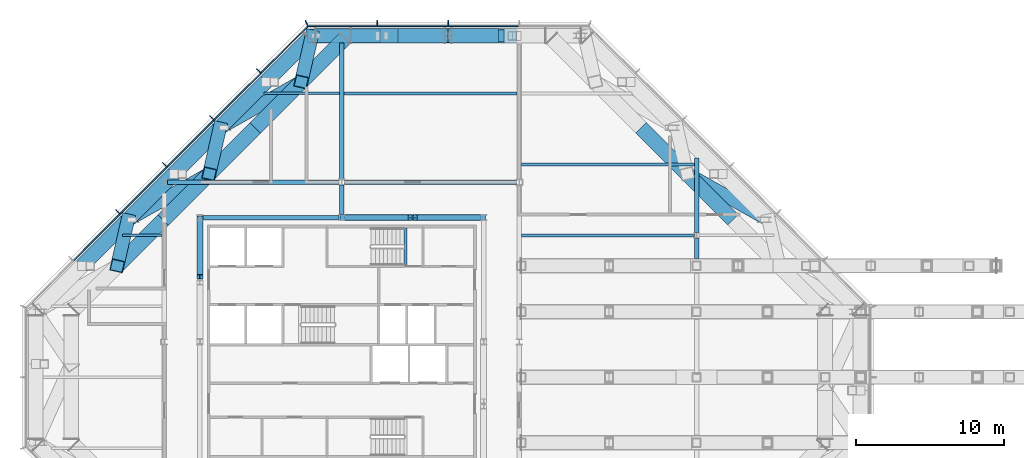
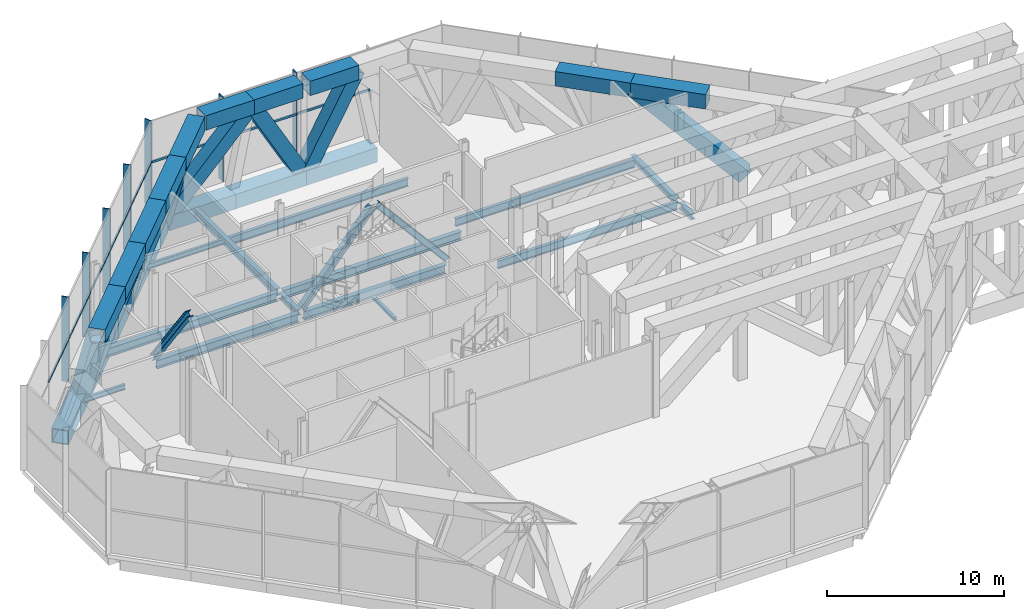
# One storey, part 8 of 18: 41 beams, 18 members, 2 elements without a shape of their own.
"""IFC4 building model written with IfcOpenShell, lengths in metres."""

from ifc_helpers import new_model, si_unit, direction, frame, origin, origin_2d, place, context, subcontext, project, spatial, rectangle, hollow_rectangle, i_section, extrude, material, material_profile, profile_set, type_object, element, aggregate, save


model = new_model("IFC4")

# Units and contexts
model_context = context("Model", 3, precision=1e-05, world=origin(), true_north=direction((0.0, 1.0)))
body_context = subcontext(model_context, "Body", "Model", "MODEL_VIEW")
ifc_project = project(units=[si_unit("LENGTHUNIT", "METRE"), si_unit("AREAUNIT", "SQUARE_METRE"), si_unit("VOLUMEUNIT", "CUBIC_METRE"), si_unit("PLANEANGLEUNIT", "RADIAN"), si_unit("MASSUNIT", "GRAM", prefix="KILO")], contexts=[model_context])

# Site, building, storey
site_placement = place(None, origin())
site = spatial("IfcSite", under=ifc_project, at=site_placement, CompositionType="ELEMENT")
building_placement = place(site_placement, origin())
building = spatial("IfcBuilding", under=site, at=building_placement, Name="Cairn Pilgrim Tower", CompositionType="ELEMENT")
storey_placement = place(building_placement, frame((0.0, 0.0, 261.0)))
storey = spatial("IfcBuildingStorey", under=building, at=storey_placement, Name="L67", CompositionType="ELEMENT", Elevation=261.0)

# Beams
ifc_material_1 = material(Name="Structural steel S460M", Category="steel")
ifc_material_profile_1 = material_profile(ifc_material_1, hollow_rectangle(XDim=1.0, YDim=1.0, WallThickness=0.06005859375, at=origin_2d()), Name="BOX 1000x1000x60")
ifc_profile_set_1 = profile_set([ifc_material_profile_1], Name="Structural steel S460M")
beam_type_1 = type_object("IfcBeamType", Name="BOX 1000x1000x60 CHORD", PredefinedType="USERDEFINED", material=ifc_profile_set_1)
beam_1_placement = place(storey_placement, frame((33.67578125, 10.651611328125, 5.35009765625), z_axis=(-0.707106781187, 0.707106781187, 0.0), x_axis=(-0.707106781187, -0.707106781187, 0.0)))
element("IfcBeam", 1, at=beam_1_placement, inside=storey, type_object=beam_type_1, Name="BT67-NE-TC3", ObjectType="CHORD", PredefinedType="USERDEFINED", context=body_context, shape_type="SweptSolid", body=[
    extrude(hollow_rectangle(XDim=1.0, YDim=1.0, WallThickness=0.06005859375, at=origin_2d()), origin(), (0.0, 0.0, 1.0), 4.401123046875),
])
beam_2_placement = place(storey_placement, frame((30.563720703125, 13.763671875, 5.35009765625), z_axis=(-0.707134515759, 0.707079045527, 0.0), x_axis=(-0.707079045527, -0.707134515759, 0.0)))
element("IfcBeam", 2, at=beam_2_placement, inside=storey, type_object=beam_type_1, Name="BT67-NE-TC4", ObjectType="CHORD", PredefinedType="USERDEFINED", context=body_context, shape_type="SweptSolid", body=[
    extrude(hollow_rectangle(XDim=1.0, YDim=1.0, WallThickness=0.06005859375, at=origin_2d()), origin(), (0.0, 0.0, 1.0), 4.4013671875),
])
beam_3_placement = place(storey_placement, frame((19.013671875, 23.10009765625, -0.75), z_axis=(-1.0, 0.0, 0.0), x_axis=(0.0, -1.0, 0.0)))
element("IfcBeam", 3, at=beam_3_placement, inside=storey, type_object=beam_type_1, Name="BT67-N-BC2", ObjectType="CHORD", PredefinedType="USERDEFINED", context=body_context, shape_type="SweptSolid", body=[
    extrude(hollow_rectangle(XDim=1.0, YDim=1.0, WallThickness=0.06005859375, at=origin_2d()), origin(), (0.0, 0.0, 1.0), 4.61376953125),
])
beam_4_placement = place(storey_placement, frame((17.813720703125, 23.10009765625, 5.35009765625), z_axis=(-1.0, 0.0, 0.0), x_axis=(0.0, -1.0, 0.0)))
element("IfcBeam", 4, at=beam_4_placement, inside=storey, type_object=beam_type_1, Name="BT67-N-TC2", ObjectType="CHORD", PredefinedType="USERDEFINED", context=body_context, shape_type="SweptSolid", body=[
    extrude(hollow_rectangle(XDim=1.0, YDim=1.0, WallThickness=0.06005859375, at=origin_2d()), origin(), (0.0, 0.0, 1.0), 3.17431640625),
])
beam_5_placement = place(storey_placement, frame((14.39990234375, 23.10009765625, -0.75), z_axis=(-1.0, 0.0, 0.0), x_axis=(0.0, -1.0, 0.0)))
element("IfcBeam", 5, at=beam_5_placement, inside=storey, type_object=beam_type_1, Name="BT67-N-BC3", ObjectType="CHORD", PredefinedType="USERDEFINED", context=body_context, shape_type="SweptSolid", body=[
    extrude(hollow_rectangle(XDim=1.0, YDim=1.0, WallThickness=0.06005859375, at=origin_2d()), origin(), (0.0, 0.0, 1.0), 4.613525390625),
])
beam_6_placement = place(storey_placement, frame((14.160400390625, 23.10009765625, 5.35009765625), z_axis=(-1.0, 0.0, 0.0), x_axis=(0.0, -1.0, 0.0)))
element("IfcBeam", 6, at=beam_6_placement, inside=storey, type_object=beam_type_1, Name="BT67-N-TC3", ObjectType="CHORD", PredefinedType="USERDEFINED", context=body_context, shape_type="SweptSolid", body=[
    extrude(hollow_rectangle(XDim=1.0, YDim=1.0, WallThickness=0.06005859375, at=origin_2d()), origin(), (0.0, 0.0, 1.0), 3.174072265625),
])
beam_7_placement = place(storey_placement, frame((9.786376953125, 23.10009765625, -0.75), z_axis=(-1.0, 0.0, 0.0), x_axis=(0.0, -1.0, 0.0)))
element("IfcBeam", 7, at=beam_7_placement, inside=storey, type_object=beam_type_1, Name="BT67-N-BC4", ObjectType="CHORD", PredefinedType="USERDEFINED", context=body_context, shape_type="SweptSolid", body=[
    extrude(hollow_rectangle(XDim=1.0, YDim=1.0, WallThickness=0.06005859375, at=origin_2d()), origin(), (0.0, 0.0, 1.0), 4.3564453125),
])
beam_8_placement = place(storey_placement, frame((10.986328125, 23.10009765625, 5.35009765625), z_axis=(-1.0, 0.0, 0.0), x_axis=(0.0, -1.0, 0.0)))
element("IfcBeam", 8, at=beam_8_placement, inside=storey, type_object=beam_type_1, Name="BT67-N-TC4", ObjectType="CHORD", PredefinedType="USERDEFINED", context=body_context, shape_type="SweptSolid", body=[
    extrude(hollow_rectangle(XDim=1.0, YDim=1.0, WallThickness=0.06005859375, at=origin_2d()), origin(), (0.0, 0.0, 1.0), 3.156494140625),
])
beam_9_placement = place(storey_placement, frame((4.990966796875, 22.918212890625, -0.75), z_axis=(-0.707077323927, -0.707136237219, 0.0), x_axis=(0.707136237219, -0.707077323927, 0.0)))
element("IfcBeam", 9, at=beam_9_placement, inside=storey, type_object=beam_type_1, Name="BT67-NW-BC1", ObjectType="CHORD", PredefinedType="USERDEFINED", context=body_context, shape_type="SweptSolid", body=[
    extrude(hollow_rectangle(XDim=1.0, YDim=1.0, WallThickness=0.06005859375, at=origin_2d()), origin(), (0.0, 0.0, 1.0), 4.14404296875),
])
beam_10_placement = place(storey_placement, frame((7.39111328125, 22.918212890625, 5.35009765625), z_axis=(-0.707106781187, -0.707106781187, 0.0), x_axis=(0.707106781187, -0.707106781187, 0.0)))
element("IfcBeam", 10, at=beam_10_placement, inside=storey, type_object=beam_type_1, Name="BT67-NW-TC1", ObjectType="CHORD", PredefinedType="USERDEFINED", context=body_context, shape_type="SweptSolid", body=[
    extrude(hollow_rectangle(XDim=1.0, YDim=1.0, WallThickness=0.06005859375, at=origin_2d()), origin(), (0.0, 0.0, 1.0), 4.144287109375),
])
for number, where, z_axis, x_axis, name in (
    (11, (2.060791015625, 19.98779296875, -0.75), (-0.707134515759, -0.707079045527, 0.0), (0.707079045527, -0.707134515759, 0.0), "BT67-NW-BC2"),
    (12, (4.460693359375, 19.98779296875, 5.35009765625), (-0.707134515759, -0.707079045527, 0.0), (0.707079045527, -0.707134515759, 0.0), "BT67-NW-TC2"),
):
    element("IfcBeam", number, at=place(storey_placement, frame(where, z_axis=z_axis, x_axis=x_axis)), inside=storey, type_object=beam_type_1, Name=name, ObjectType="CHORD", PredefinedType="USERDEFINED", context=body_context, shape_type="SweptSolid", body=[
        extrude(hollow_rectangle(XDim=1.0, YDim=1.0, WallThickness=0.06005859375, at=origin_2d()), origin(), (0.0, 0.0, 1.0), 4.4013671875),
    ])
for number, where, z_axis, x_axis, name in (
    (13, (-1.051513671875, 16.875732421875, -0.75), (-0.707106781187, -0.707106781187, 0.0), (0.707106781187, -0.707106781187, 0.0), "BT67-NW-BC3"),
    (14, (1.348388671875, 16.875732421875, 5.35009765625), (-0.707106781187, -0.707106781187, 0.0), (0.707106781187, -0.707106781187, 0.0), "BT67-NW-TC3"),
    (15, (-4.16357421875, 13.763671875, -0.75), (-0.707106781187, -0.707106781187, 0.0), (0.707106781187, -0.707106781187, 0.0), "BT67-NW-BC4"),
    (16, (-1.763671875, 13.763671875, 5.35009765625), (-0.707106781187, -0.707106781187, 0.0), (0.707106781187, -0.707106781187, 0.0), "BT67-NW-TC4"),
):
    element("IfcBeam", number, at=place(storey_placement, frame(where, z_axis=z_axis, x_axis=x_axis)), inside=storey, type_object=beam_type_1, Name=name, ObjectType="CHORD", PredefinedType="USERDEFINED", context=body_context, shape_type="SweptSolid", body=[
        extrude(hollow_rectangle(XDim=1.0, YDim=1.0, WallThickness=0.06005859375, at=origin_2d()), origin(), (0.0, 0.0, 1.0), 4.401123046875),
    ])
for number, where, z_axis, x_axis, name in (
    (17, (-7.275634765625, 10.651611328125, -0.75), (-0.707106781187, -0.707106781187, 0.0), (0.707106781187, -0.707106781187, 0.0), "BT67-NW-BC5"),
    (18, (-4.875732421875, 10.651611328125, 5.35009765625), (-0.707079045527, -0.707134515759, 0.0), (0.707134515759, -0.707079045527, 0.0), "BT67-NW-TC5"),
):
    element("IfcBeam", number, at=place(storey_placement, frame(where, z_axis=z_axis, x_axis=x_axis)), inside=storey, type_object=beam_type_1, Name=name, ObjectType="CHORD", PredefinedType="USERDEFINED", context=body_context, shape_type="SweptSolid", body=[
        extrude(hollow_rectangle(XDim=1.0, YDim=1.0, WallThickness=0.06005859375, at=origin_2d()), origin(), (0.0, 0.0, 1.0), 4.4013671875),
    ])
ifc_material_profile_2 = material_profile(ifc_material_1, hollow_rectangle(XDim=0.89990234375, YDim=0.89990234375, WallThickness=0.050048828125, at=origin_2d()), Name="BOX 900x900x50")
ifc_profile_set_2 = profile_set([ifc_material_profile_2], Name="Structural steel S460M")
beam_type_2 = type_object("IfcBeamType", Name="BOX 900x900x50 DIAGONAL", PredefinedType="USERDEFINED", material=ifc_profile_set_2)
beam_11_placement = place(storey_placement, frame((36.07568359375, 10.651611328125, -0.75), z_axis=(-0.627016222938, 0.354014075997, 0.693919800963), x_axis=(-0.491650506042, -0.870792615902, 0.0)))
element("IfcBeam", 19, at=beam_11_placement, inside=storey, type_object=beam_type_2, Name="BT67-NE-D3", ObjectType="DIAGONAL", PredefinedType="USERDEFINED", context=body_context, shape_type="SweptSolid", body=[
    extrude(hollow_rectangle(XDim=0.89990234375, YDim=0.89990234375, WallThickness=0.050048828125, at=origin_2d()), origin(), (0.0, 0.0, 1.0), 8.790771484375),
])
beam_12_placement = place(storey_placement, frame((17.813720703125, 23.10009765625, 5.35009765625), z_axis=(-0.488359809006, 0.0, -0.872642364859), x_axis=(0.0, -1.0, 0.0)))
element("IfcBeam", 20, at=beam_12_placement, inside=storey, type_object=beam_type_2, Name="BT67-N-D2", ObjectType="DIAGONAL", PredefinedType="USERDEFINED", context=body_context, shape_type="SweptSolid", body=[
    extrude(hollow_rectangle(XDim=0.89990234375, YDim=0.89990234375, WallThickness=0.050048828125, at=origin_2d()), origin(), (0.0, 0.0, 1.0), 6.990478515625),
])
beam_13_placement = place(storey_placement, frame((14.39990234375, 23.10009765625, -0.75), z_axis=(-0.488333212582, 0.0, 0.872657248574), x_axis=(0.0, -1.0, 0.0)))
element("IfcBeam", 21, at=beam_13_placement, inside=storey, type_object=beam_type_2, Name="BT67-N-D3", ObjectType="DIAGONAL", PredefinedType="USERDEFINED", context=body_context, shape_type="SweptSolid", body=[
    extrude(hollow_rectangle(XDim=0.89990234375, YDim=0.89990234375, WallThickness=0.050048828125, at=origin_2d()), origin(), (0.0, 0.0, 1.0), 6.990234375),
])
beam_14_placement = place(storey_placement, frame((10.986328125, 23.10009765625, 5.35009765625), z_axis=(-0.689895321041, 0.0, -0.723909142093), x_axis=(0.0, -1.0, 0.0)))
element("IfcBeam", 22, at=beam_14_placement, inside=storey, type_object=beam_type_2, Name="BT67-N-D4", ObjectType="DIAGONAL", PredefinedType="USERDEFINED", context=body_context, shape_type="SweptSolid", body=[
    extrude(hollow_rectangle(XDim=0.89990234375, YDim=0.89990234375, WallThickness=0.050048828125, at=origin_2d()), origin(), (0.0, 0.0, 1.0), 8.426513671875),
])
beam_15_placement = place(storey_placement, frame((5.1728515625, 23.10009765625, -0.75), z_axis=(-0.10343447546, -0.452033833791, 0.885983477495), x_axis=(0.974805800501, -0.223055265145, 0.0)))
element("IfcBeam", 23, at=beam_15_placement, inside=storey, type_object=beam_type_2, Name="BT67-NW-D1", ObjectType="DIAGONAL", PredefinedType="USERDEFINED", context=body_context, shape_type="SweptSolid", body=[
    extrude(hollow_rectangle(XDim=0.89990234375, YDim=0.89990234375, WallThickness=0.050048828125, at=origin_2d()), origin(), (0.0, 0.0, 1.0), 6.885009765625),
])
beam_16_placement = place(storey_placement, frame((4.460693359375, 19.98779296875, 5.35009765625), z_axis=(-0.627033076163, -0.354007911323, -0.693907717292), x_axis=(0.491633993745, -0.870801938557, 0.0)))
element("IfcBeam", 24, at=beam_16_placement, inside=storey, type_object=beam_type_2, Name="BT67-NW-D2", ObjectType="DIAGONAL", PredefinedType="USERDEFINED", context=body_context, shape_type="SweptSolid", body=[
    extrude(hollow_rectangle(XDim=0.89990234375, YDim=0.89990234375, WallThickness=0.050048828125, at=origin_2d()), origin(), (0.0, 0.0, 1.0), 8.791015625),
])
beam_17_placement = place(storey_placement, frame((-1.051513671875, 16.875732421875, -0.75), z_axis=(-0.103436133361, -0.452005619457, 0.885997678493), x_axis=(0.974801995546, -0.223071893073, 0.0)))
element("IfcBeam", 25, at=beam_17_placement, inside=storey, type_object=beam_type_2, Name="BT67-NW-D3", ObjectType="DIAGONAL", PredefinedType="USERDEFINED", context=body_context, shape_type="SweptSolid", body=[
    extrude(hollow_rectangle(XDim=0.89990234375, YDim=0.89990234375, WallThickness=0.050048828125, at=origin_2d()), origin(), (0.0, 0.0, 1.0), 6.885009765625),
])
beam_18_placement = place(storey_placement, frame((-1.763671875, 13.763671875, 5.35009765625), z_axis=(-0.627016222938, -0.354014075997, -0.693919800963), x_axis=(0.491650506042, -0.870792615902, 0.0)))
element("IfcBeam", 26, at=beam_18_placement, inside=storey, type_object=beam_type_2, Name="BT67-NW-D4", ObjectType="DIAGONAL", PredefinedType="USERDEFINED", context=body_context, shape_type="SweptSolid", body=[
    extrude(hollow_rectangle(XDim=0.89990234375, YDim=0.89990234375, WallThickness=0.050048828125, at=origin_2d()), origin(), (0.0, 0.0, 1.0), 8.790771484375),
])
beam_19_placement = place(storey_placement, frame((-7.275634765625, 10.651611328125, -0.75), z_axis=(-0.10343447546, -0.452033833791, 0.885983477495), x_axis=(0.974805800501, -0.223055265145, 0.0)))
element("IfcBeam", 27, at=beam_19_placement, inside=storey, type_object=beam_type_2, Name="BT67-NW-D5", ObjectType="DIAGONAL", PredefinedType="USERDEFINED", context=body_context, shape_type="SweptSolid", body=[
    extrude(hollow_rectangle(XDim=0.89990234375, YDim=0.89990234375, WallThickness=0.050048828125, at=origin_2d()), origin(), (0.0, 0.0, 1.0), 6.885009765625),
])

# Curtain wall, members
ifc_material_2 = material(Name="Aluminium alloy 6063-T6 bronze anodised with Bronze tinted laminated low-E glass 8+16+8.8", Category="aluminium")
curtain_wall_type = type_object("IfcCurtainWallType", Name="PLANT LOUVRE CURTAIN WALL", PredefinedType="NOTDEFINED", material=ifc_material_2)
curtain_wall_1_placement = place(storey_placement, origin())
curtain_wall_1 = element("IfcCurtainWall", 28, at=curtain_wall_1_placement, inside=storey, type_object=curtain_wall_type, Name="Plant Louvre Curtain Wall N", PredefinedType="NOTDEFINED")
ifc_material_3 = material(Name="Aluminium alloy 6063-T6 bronze anodised", Category="aluminium")
ifc_material_profile_3 = material_profile(ifc_material_3, rectangle(XDim=0.449951171875, YDim=0.06005859375, at=origin_2d()), Name="FIN MULLION 60x450 BRONZE")
ifc_profile_set_3 = profile_set([ifc_material_profile_3], Name="Aluminium alloy 6063-T6 bronze anodised")
member_type_1 = type_object("IfcMemberType", Name="FIN MULLION 60x450 BRONZE", PredefinedType="MULLION", material=ifc_profile_set_3)
member_1_placement = place(storey_placement, frame((14.39990234375, 23.945068359375, 0.0), z_axis=(0.0, 0.0, 1.0), x_axis=(0.0, 1.0, 0.0)))
member_1 = element("IfcMember", 29, at=member_1_placement, type_object=member_type_1, Name="Fin mullion N3", PredefinedType="MULLION", context=body_context, shape_type="SweptSolid", body=[
    extrude(rectangle(XDim=0.449951171875, YDim=0.06005859375, at=origin_2d()), origin(), (0.0, 0.0, 1.0), 5.85009765625),
])
member_2_placement = place(storey_placement, frame((9.60009765625, 23.945068359375, 0.0), z_axis=(0.0, 0.0, 1.0), x_axis=(0.0, 1.0, 0.0)))
member_2 = element("IfcMember", 30, at=member_2_placement, type_object=member_type_1, Name="Fin mullion N4", PredefinedType="MULLION", context=body_context, shape_type="SweptSolid", body=[
    extrude(rectangle(XDim=0.449951171875, YDim=0.06005859375, at=origin_2d()), origin(), (0.0, 0.0, 1.0), 5.85009765625),
])

curtain_wall_2_placement = place(storey_placement, origin())
curtain_wall_2 = element("IfcCurtainWall", 31, at=curtain_wall_2_placement, inside=storey, type_object=curtain_wall_type, Name="Plant Louvre Curtain Wall NW", PredefinedType="NOTDEFINED")
member_3_placement = place(storey_placement, frame((4.828857421875, 23.93017578125, 0.0), z_axis=(0.0, 0.0, 1.0), x_axis=(-0.382683432365, 0.923879532511, 0.0)))
member_3 = element("IfcMember", 32, at=member_3_placement, type_object=member_type_1, Name="Fin mullion NW1", PredefinedType="MULLION", context=body_context, shape_type="SweptSolid", body=[
    extrude(rectangle(XDim=0.449951171875, YDim=0.06005859375, at=origin_2d()), origin(), (0.0, 0.0, 1.0), 5.85009765625),
])
member_4_placement = place(storey_placement, frame((1.590087890625, 20.71240234375, 0.0), z_axis=(0.0, 0.0, 1.0), x_axis=(-0.707106781187, 0.707106781187, 0.0)))
member_4 = element("IfcMember", 33, at=member_4_placement, type_object=member_type_1, Name="Fin mullion NW2", PredefinedType="MULLION", context=body_context, shape_type="SweptSolid", body=[
    extrude(rectangle(XDim=0.449951171875, YDim=0.06005859375, at=origin_2d()), origin(), (0.0, 0.0, 1.0), 5.85009765625),
])
member_5_placement = place(storey_placement, frame((-1.58544921875, 17.53662109375, 0.0), z_axis=(0.0, 0.0, 1.0), x_axis=(-0.707106781187, 0.707106781187, 0.0)))
member_5 = element("IfcMember", 34, at=member_5_placement, type_object=member_type_1, Name="Fin mullion NW3", PredefinedType="MULLION", context=body_context, shape_type="SweptSolid", body=[
    extrude(rectangle(XDim=0.449951171875, YDim=0.06005859375, at=origin_2d()), origin(), (0.0, 0.0, 1.0), 5.85009765625),
])
member_6_placement = place(storey_placement, frame((-4.76123046875, 14.361083984375, 0.0), z_axis=(0.0, 0.0, 1.0), x_axis=(-0.707106781187, 0.707106781187, 0.0)))
member_6 = element("IfcMember", 35, at=member_6_placement, type_object=member_type_1, Name="Fin mullion NW4", PredefinedType="MULLION", context=body_context, shape_type="SweptSolid", body=[
    extrude(rectangle(XDim=0.449951171875, YDim=0.06005859375, at=origin_2d()), origin(), (0.0, 0.0, 1.0), 5.85009765625),
])
member_7_placement = place(storey_placement, frame((-7.936767578125, 11.185546875, 0.0), z_axis=(0.0, 0.0, 1.0), x_axis=(-0.707106781187, 0.707106781187, 0.0)))
member_7 = element("IfcMember", 36, at=member_7_placement, type_object=member_type_1, Name="Fin mullion NW5", PredefinedType="MULLION", context=body_context, shape_type="SweptSolid", body=[
    extrude(rectangle(XDim=0.449951171875, YDim=0.06005859375, at=origin_2d()), origin(), (0.0, 0.0, 1.0), 5.85009765625),
])

# Members
ifc_material_4 = material(Name="Structural steel S355J2", Category="steel")
ifc_material_profile_4 = material_profile(ifc_material_4, i_section(OverallWidth=0.39794921875, OverallDepth=0.386962890625, WebThickness=0.02099609375, FlangeThickness=0.033203125, FilletRadius=0.014892578125, at=origin_2d()), Name="HD 400x262")
ifc_profile_set_4 = profile_set([ifc_material_profile_4], Name="Structural steel S355J2")
member_type_2 = type_object("IfcMemberType", Name="HD 400x262 BRACE", PredefinedType="BRACE", material=ifc_profile_set_4)
for number, where, z_axis, x_axis, name in (
    (37, (16.76025390625, 10.800048828125, 0.0), (-0.647472453793, 0.0, 0.762088854124), (0.0, -1.0, 0.0), "KB-3A"),
    (38, (7.23974609375, 10.800048828125, 0.0), (0.647472453793, 0.0, 0.762088854124), (0.0, 1.0, 0.0), "KB-3B"),
):
    element("IfcMember", number, at=place(storey_placement, frame(where, z_axis=z_axis, x_axis=x_axis)), inside=storey, type_object=member_type_2, Name=name, PredefinedType="BRACE", context=body_context, shape_type="SweptSolid", body=[
        extrude(i_section(OverallWidth=0.39794921875, OverallDepth=0.386962890625, WebThickness=0.02099609375, FlangeThickness=0.033203125, FilletRadius=0.014892578125, at=origin_2d()), origin(), (0.0, 0.0, 1.0), 7.0888671875),
    ])
member_8_placement = place(storey_placement, frame((-2.39990234375, 10.76025390625, 0.0), z_axis=(0.0, -0.592395315178, 0.805647435641), x_axis=(1.0, 0.0, 0.0)))
element("IfcMember", 39, at=member_8_placement, inside=storey, type_object=member_type_2, Name="KB-4A", PredefinedType="BRACE", context=body_context, shape_type="SweptSolid", body=[
    extrude(i_section(OverallWidth=0.39794921875, OverallDepth=0.386962890625, WebThickness=0.02099609375, FlangeThickness=0.033203125, FilletRadius=0.014892578125, at=origin_2d()), origin(), (0.0, 0.0, 1.0), 6.70654296875),
])

# Beams
ifc_material_profile_5 = material_profile(ifc_material_4, i_section(OverallWidth=0.300048828125, OverallDepth=0.39990234375, WebThickness=0.013427734375, FlangeThickness=0.02392578125, FilletRadius=0.027099609375, at=origin_2d()), Name="HEB 400")
ifc_profile_set_5 = profile_set([ifc_material_profile_5], Name="Structural steel S355J2")
beam_type_3 = type_object("IfcBeamType", Name="HEB 400 GIRDER", PredefinedType="BEAM", material=ifc_profile_set_5)
beam_20_placement = place(storey_placement, frame((7.199951171875, 10.9990234375, -0.449951171875), z_axis=(0.0, 1.0, 0.0), x_axis=(-1.0, 0.0, 0.0)))
element("IfcBeam", 40, at=beam_20_placement, inside=storey, type_object=beam_type_3, Name="PG3-E2", PredefinedType="BEAM", context=body_context, shape_type="SweptSolid", body=[
    extrude(i_section(OverallWidth=0.300048828125, OverallDepth=0.39990234375, WebThickness=0.013427734375, FlangeThickness=0.02392578125, FilletRadius=0.027099609375, at=origin_2d()), origin(), (0.0, 0.0, 1.0), 2.00390625),
])
beam_21_placement = place(storey_placement, frame((31.199951171875, 8.044189453125, -0.449951171875), z_axis=(0.0, 1.0, 0.0), x_axis=(-1.0, 0.0, 0.0)))
element("IfcBeam", 41, at=beam_21_placement, inside=storey, type_object=beam_type_3, Name="PG5-E2", PredefinedType="BEAM", context=body_context, shape_type="SweptSolid", body=[
    extrude(i_section(OverallWidth=0.300048828125, OverallDepth=0.39990234375, WebThickness=0.013427734375, FlangeThickness=0.02392578125, FilletRadius=0.027099609375, at=origin_2d()), origin(), (0.0, 0.0, 1.0), 1.35888671875),
])
beam_22_placement = place(storey_placement, frame((31.199951171875, 9.797119140625, -0.449951171875), z_axis=(0.0, 1.0, 0.0), x_axis=(-1.0, 0.0, 0.0)))
element("IfcBeam", 42, at=beam_22_placement, inside=storey, type_object=beam_type_3, Name="PG5-6", PredefinedType="BEAM", context=body_context, shape_type="SweptSolid", body=[
    extrude(i_section(OverallWidth=0.300048828125, OverallDepth=0.39990234375, WebThickness=0.013427734375, FlangeThickness=0.02392578125, FilletRadius=0.027099609375, at=origin_2d()), origin(), (0.0, 0.0, 1.0), 5.052978515625),
])
ifc_material_profile_6 = material_profile(ifc_material_4, i_section(OverallWidth=0.300048828125, OverallDepth=0.5, WebThickness=0.014404296875, FlangeThickness=0.028076171875, FilletRadius=0.027099609375, at=origin_2d()), Name="HEB 500")
ifc_profile_set_6 = profile_set([ifc_material_profile_6], Name="Structural steel S355J2")
beam_type_4 = type_object("IfcBeamType", Name="HEB 500 GIRDER", PredefinedType="BEAM", material=ifc_profile_set_6)
beam_23_placement = place(storey_placement, frame((7.199951171875, 13.39697265625, -0.5), z_axis=(0.0, 1.0, 0.0), x_axis=(-1.0, 0.0, 0.0)))
element("IfcBeam", 43, at=beam_23_placement, inside=storey, type_object=beam_type_4, Name="PG3-2", PredefinedType="BEAM", context=body_context, shape_type="SweptSolid", body=[
    extrude(i_section(OverallWidth=0.300048828125, OverallDepth=0.5, WebThickness=0.014404296875, FlangeThickness=0.028076171875, FilletRadius=0.027099609375, at=origin_2d()), origin(), (0.0, 0.0, 1.0), 9.23291015625),
])
ifc_material_profile_7 = material_profile(ifc_material_4, i_section(OverallWidth=0.300048828125, OverallDepth=0.60009765625, WebThickness=0.015380859375, FlangeThickness=0.030029296875, FilletRadius=0.027099609375, at=origin_2d()), Name="HEB 600")
ifc_profile_set_7 = profile_set([ifc_material_profile_7], Name="Structural steel S355J2")
beam_type_5 = type_object("IfcBeamType", Name="HEB 600 CORE BEAM", PredefinedType="BEAM", material=ifc_profile_set_7)
beam_24_placement = place(storey_placement, frame((16.620849609375, 10.800048828125, -0.550048828125), z_axis=(-1.0, 0.0, 0.0), x_axis=(0.0, -1.0, 0.0)))
element("IfcBeam", 44, at=beam_24_placement, inside=storey, type_object=beam_type_5, Name="CB-5", PredefinedType="BEAM", context=body_context, shape_type="SweptSolid", body=[
    extrude(i_section(OverallWidth=0.300048828125, OverallDepth=0.60009765625, WebThickness=0.015380859375, FlangeThickness=0.030029296875, FilletRadius=0.027099609375, at=origin_2d()), origin(), (0.0, 0.0, 1.0), 9.24169921875),
])
beam_25_placement = place(storey_placement, frame((7.02099609375, 10.800048828125, -0.550048828125), z_axis=(-1.0, 0.0, 0.0), x_axis=(0.0, -1.0, 0.0)))
element("IfcBeam", 45, at=beam_25_placement, inside=storey, type_object=beam_type_5, Name="CB-6", PredefinedType="BEAM", context=body_context, shape_type="SweptSolid", body=[
    extrude(i_section(OverallWidth=0.300048828125, OverallDepth=0.60009765625, WebThickness=0.015380859375, FlangeThickness=0.030029296875, FilletRadius=0.027099609375, at=origin_2d()), origin(), (0.0, 0.0, 1.0), 9.241943359375),
])
ifc_material_profile_8 = material_profile(ifc_material_4, i_section(OverallWidth=0.300048828125, OverallDepth=0.60009765625, WebThickness=0.015380859375, FlangeThickness=0.030029296875, FilletRadius=0.027099609375, at=origin_2d()), Name="HEB 600")
ifc_profile_set_8 = profile_set([ifc_material_profile_8], Name="Structural steel S355J2")
beam_type_6 = type_object("IfcBeamType", Name="HEB 600 INNER GIRDER", PredefinedType="BEAM", material=ifc_profile_set_8)
for number, where, z_axis, x_axis, name in (
    (46, (-4.60302734375, 13.199951171875, -0.550048828125), (1.0, 0.0, 0.0), (0.0, 1.0, 0.0), "IG2-1"),
    (47, (7.39697265625, 13.199951171875, -0.550048828125), (1.0, 0.0, 0.0), (0.0, 1.0, 0.0), "IG2-2"),
):
    element("IfcBeam", number, at=place(storey_placement, frame(where, z_axis=z_axis, x_axis=x_axis)), inside=storey, type_object=beam_type_6, Name=name, PredefinedType="BEAM", context=body_context, shape_type="SweptSolid", body=[
        extrude(i_section(OverallWidth=0.300048828125, OverallDepth=0.60009765625, WebThickness=0.015380859375, FlangeThickness=0.030029296875, FilletRadius=0.027099609375, at=origin_2d()), origin(), (0.0, 0.0, 1.0), 11.60595703125),
    ])
ifc_material_profile_9 = material_profile(ifc_material_4, i_section(OverallWidth=0.169921875, OverallDepth=0.360107421875, WebThickness=0.008056640625, FlangeThickness=0.0126953125, FilletRadius=0.01806640625, at=origin_2d()), Name="IPE 360")
ifc_profile_set_9 = profile_set([ifc_material_profile_9], Name="Structural steel S355J2")
beam_type_7 = type_object("IfcBeamType", Name="IPE 360 SECONDARY BEAM", PredefinedType="JOIST", material=ifc_profile_set_9)
beam_26_placement = place(storey_placement, frame((-7.650146484375, 9.60009765625, -0.429931640625), z_axis=(1.0, 0.0, 0.0), x_axis=(0.0, 1.0, 0.0)))
element("IfcBeam", 48, at=beam_26_placement, inside=storey, type_object=beam_type_7, Name="SB7-1", PredefinedType="JOIST", context=body_context, shape_type="SweptSolid", body=[
    extrude(i_section(OverallWidth=0.169921875, OverallDepth=0.360107421875, WebThickness=0.008056640625, FlangeThickness=0.0126953125, FilletRadius=0.01806640625, at=origin_2d()), origin(), (0.0, 0.0, 1.0), 2.7001953125),
])
beam_27_placement = place(storey_placement, frame((1.949951171875, 19.199951171875, -0.429931640625), z_axis=(1.0, 0.0, 0.0), x_axis=(0.0, 1.0, 0.0)))
element("IfcBeam", 49, at=beam_27_placement, inside=storey, type_object=beam_type_7, Name="SB9-1", PredefinedType="JOIST", context=body_context, shape_type="SweptSolid", body=[
    extrude(i_section(OverallWidth=0.169921875, OverallDepth=0.360107421875, WebThickness=0.008056640625, FlangeThickness=0.0126953125, FilletRadius=0.01806640625, at=origin_2d()), origin(), (0.0, 0.0, 1.0), 5.10009765625),
])
ifc_material_profile_10 = material_profile(ifc_material_4, i_section(OverallWidth=0.2099609375, OverallDepth=0.550048828125, WebThickness=0.010986328125, FlangeThickness=0.01708984375, FilletRadius=0.02392578125, at=origin_2d()), Name="IPE 550")
ifc_profile_set_10 = profile_set([ifc_material_profile_10], Name="Structural steel S355J2")
beam_type_8 = type_object("IfcBeamType", Name="IPE 550 SECONDARY BEAM", PredefinedType="JOIST", material=ifc_profile_set_10)
for number, where, z_axis, x_axis, name in (
    (50, (19.35009765625, 9.60009765625, -0.52490234375), (1.0, 0.0, 0.0), (0.0, 1.0, 0.0), "SB7-2"),
    (51, (19.35009765625, 14.39990234375, -0.52490234375), (1.0, 0.0, 0.0), (0.0, 1.0, 0.0), "SB8-1"),
    (52, (7.35009765625, 19.199951171875, -0.52490234375), (1.0, 0.0, 0.0), (0.0, 1.0, 0.0), "SB9-2"),
):
    element("IfcBeam", number, at=place(storey_placement, frame(where, z_axis=z_axis, x_axis=x_axis)), inside=storey, type_object=beam_type_8, Name=name, PredefinedType="JOIST", context=body_context, shape_type="SweptSolid", body=[
        extrude(i_section(OverallWidth=0.2099609375, OverallDepth=0.550048828125, WebThickness=0.010986328125, FlangeThickness=0.01708984375, FilletRadius=0.02392578125, at=origin_2d()), origin(), (0.0, 0.0, 1.0), 11.699951171875),
    ])
ifc_material_profile_11 = material_profile(ifc_material_4, i_section(OverallWidth=0.199951171875, OverallDepth=0.199951171875, WebThickness=0.009033203125, FlangeThickness=0.014892578125, FilletRadius=0.01806640625, at=origin_2d()), Name="HE 200 B")
ifc_profile_set_11 = profile_set([ifc_material_profile_11], Name="Structural steel S355J2")
beam_type_9 = type_object("IfcBeamType", Name="STAIR LANDING BEAM HE 200 B", PredefinedType="BEAM", material=ifc_profile_set_11)
beam_28_placement = place(storey_placement, frame((11.5244140625, 10.10009765625, -0.35009765625), z_axis=(0.0, -1.0, 0.0), x_axis=(1.0, 0.0, 0.0)))
element("IfcBeam", 53, at=beam_28_placement, inside=storey, type_object=beam_type_9, Name="STAIR LANDING BEAM LD-HE200B", PredefinedType="BEAM", context=body_context, shape_type="SweptSolid", body=[
    extrude(i_section(OverallWidth=0.199951171875, OverallDepth=0.199951171875, WebThickness=0.009033203125, FlangeThickness=0.014892578125, FilletRadius=0.01806640625, at=origin_2d()), origin(), (0.0, 0.0, 1.0), 2.525146484375),
])

# Member
ifc_material_profile_12 = material_profile(ifc_material_3, rectangle(XDim=0.080078125, YDim=0.14990234375, at=origin_2d()), Name="TRANSOM 80x150 BRONZE")
ifc_profile_set_12 = profile_set([ifc_material_profile_12], Name="Aluminium alloy 6063-T6 bronze anodised")
member_type_3 = type_object("IfcMemberType", Name="TRANSOM 80x150 BRONZE", PredefinedType="USERDEFINED", material=ifc_profile_set_12)
member_9_placement = place(storey_placement, frame((19.169921875, 23.75, 3.0), z_axis=(-1.0, 0.0, 0.0), x_axis=(0.0, -1.0, 0.0)))
member_9 = element("IfcMember", 54, at=member_9_placement, type_object=member_type_3, Name="Transom N2", ObjectType="TRANSOM", PredefinedType="USERDEFINED", context=body_context, shape_type="SweptSolid", body=[
    extrude(rectangle(XDim=0.080078125, YDim=0.14990234375, at=origin_2d()), origin(), (0.0, 0.0, 1.0), 4.739990234375),
])

member_10_placement = place(storey_placement, frame((14.3701171875, 23.75, 3.0), z_axis=(-1.0, 0.0, 0.0), x_axis=(0.0, -1.0, 0.0)))
member_10 = element("IfcMember", 55, at=member_10_placement, type_object=member_type_3, Name="Transom N3", ObjectType="TRANSOM", PredefinedType="USERDEFINED", context=body_context, shape_type="SweptSolid", body=[
    extrude(rectangle(XDim=0.080078125, YDim=0.14990234375, at=origin_2d()), origin(), (0.0, 0.0, 1.0), 4.740234375),
])

member_11_placement = place(storey_placement, frame((9.570068359375, 23.75, 3.0), z_axis=(-1.0, 0.0, 0.0), x_axis=(0.0, -1.0, 0.0)))
member_11 = element("IfcMember", 56, at=member_11_placement, type_object=member_type_3, Name="Transom N4", ObjectType="TRANSOM", PredefinedType="USERDEFINED", context=body_context, shape_type="SweptSolid", body=[
    extrude(rectangle(XDim=0.080078125, YDim=0.14990234375, at=origin_2d()), origin(), (0.0, 0.0, 1.0), 4.62646484375),
])

aggregate(curtain_wall_1, [member_1, member_2, member_9, member_10, member_11])

member_12_placement = place(storey_placement, frame((4.875244140625, 23.7216796875, 3.0), z_axis=(-0.707106781187, -0.707106781187, 0.0), x_axis=(0.707106781187, -0.707106781187, 0.0)))
member_12 = element("IfcMember", 57, at=member_12_placement, type_object=member_type_3, Name="Transom NW1", ObjectType="TRANSOM", PredefinedType="USERDEFINED", context=body_context, shape_type="SweptSolid", body=[
    extrude(rectangle(XDim=0.080078125, YDim=0.14990234375, at=origin_2d()), origin(), (0.0, 0.0, 1.0), 4.4208984375),
])

member_13_placement = place(storey_placement, frame((1.706787109375, 20.55322265625, 3.0), z_axis=(-0.707106781187, -0.707106781187, 0.0), x_axis=(0.707106781187, -0.707106781187, 0.0)))
member_13 = element("IfcMember", 58, at=member_13_placement, type_object=member_type_3, Name="Transom NW2", ObjectType="TRANSOM", PredefinedType="USERDEFINED", context=body_context, shape_type="SweptSolid", body=[
    extrude(rectangle(XDim=0.080078125, YDim=0.14990234375, at=origin_2d()), origin(), (0.0, 0.0, 1.0), 4.43115234375),
])

member_14_placement = place(storey_placement, frame((-1.46875, 17.377685546875, 3.0), z_axis=(-0.707106781187, -0.707106781187, 0.0), x_axis=(0.707106781187, -0.707106781187, 0.0)))
member_14 = element("IfcMember", 59, at=member_14_placement, type_object=member_type_3, Name="Transom NW3", ObjectType="TRANSOM", PredefinedType="USERDEFINED", context=body_context, shape_type="SweptSolid", body=[
    extrude(rectangle(XDim=0.080078125, YDim=0.14990234375, at=origin_2d()), origin(), (0.0, 0.0, 1.0), 4.43115234375),
])

member_15_placement = place(storey_placement, frame((-4.64453125, 14.201904296875, 3.0), z_axis=(-0.707106781187, -0.707106781187, 0.0), x_axis=(0.707106781187, -0.707106781187, 0.0)))
member_15 = element("IfcMember", 60, at=member_15_placement, type_object=member_type_3, Name="Transom NW4", ObjectType="TRANSOM", PredefinedType="USERDEFINED", context=body_context, shape_type="SweptSolid", body=[
    extrude(rectangle(XDim=0.080078125, YDim=0.14990234375, at=origin_2d()), origin(), (0.0, 0.0, 1.0), 4.430908203125),
])

member_16_placement = place(storey_placement, frame((-7.820068359375, 11.0263671875, 3.0), z_axis=(-0.707106781187, -0.707106781187, 0.0), x_axis=(0.707106781187, -0.707106781187, 0.0)))
member_16 = element("IfcMember", 61, at=member_16_placement, type_object=member_type_3, Name="Transom NW5", ObjectType="TRANSOM", PredefinedType="USERDEFINED", context=body_context, shape_type="SweptSolid", body=[
    extrude(rectangle(XDim=0.080078125, YDim=0.14990234375, at=origin_2d()), origin(), (0.0, 0.0, 1.0), 4.430908203125),
])

aggregate(curtain_wall_2, [member_3, member_4, member_5, member_6, member_7, member_12, member_13, member_14, member_15, member_16])

save(model, "model.ifc")
